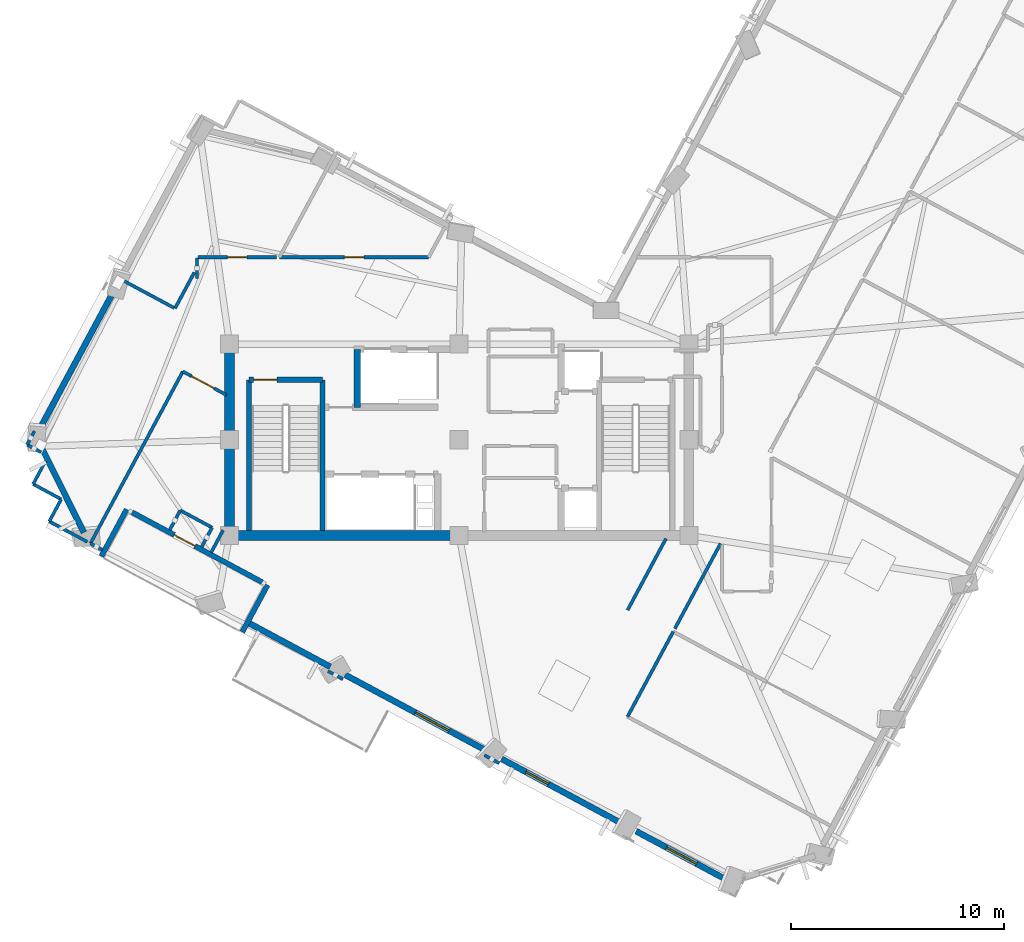
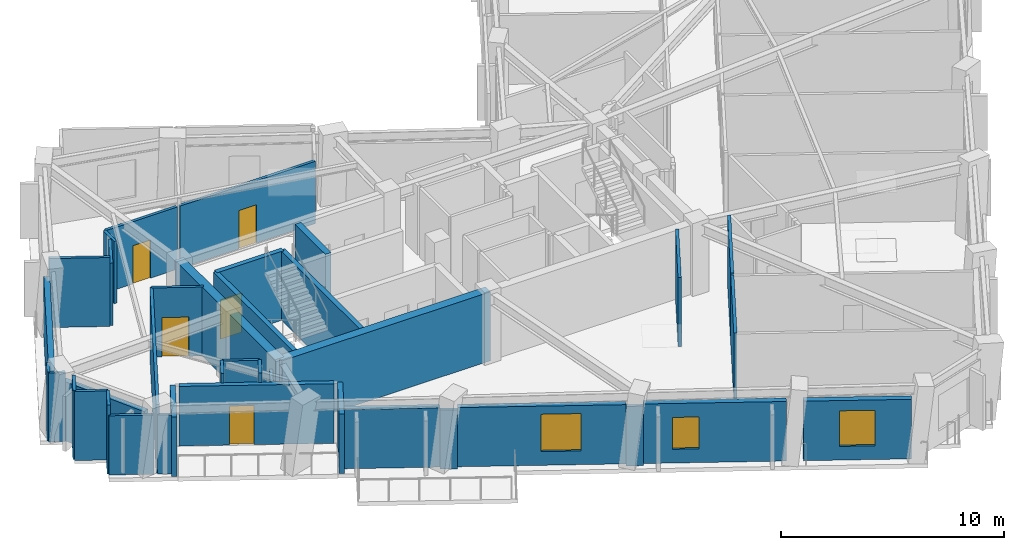
# One storey, part 6 of 14: 38 walls, 5 doors, 3 windows, 8 openings.
"""IFC4 building model written with IfcOpenShell, lengths in metres."""

from ifc_helpers import new_model, si_unit, direction, frame, frame_2d, origin, place, context, subcontext, project, spatial, rectangle, extrude, material, layer, layer_set, type_object, element, fill, save


model = new_model("IFC4")

# Units and contexts
model_context = context("Model", 3, precision=1e-05, world=origin(), true_north=direction((0.0, 1.0)))
body_context = subcontext(model_context, "Body", "Model", "MODEL_VIEW")
ifc_project = project(units=[si_unit("LENGTHUNIT", "METRE"), si_unit("AREAUNIT", "SQUARE_METRE"), si_unit("VOLUMEUNIT", "CUBIC_METRE"), si_unit("PLANEANGLEUNIT", "RADIAN"), si_unit("MASSUNIT", "GRAM", prefix="KILO")], contexts=[model_context])

# Site, building, storey
site_placement = place(None, origin())
site = spatial("IfcSite", under=ifc_project, at=site_placement, CompositionType="ELEMENT")
building_placement = place(site_placement, origin())
building = spatial("IfcBuilding", under=site, at=building_placement, Name="Gaonmaruhae Medical Tower", CompositionType="ELEMENT")
storey_placement = place(building_placement, frame((0.0, 0.0, 288.60009765625)))
storey = spatial("IfcBuildingStorey", under=building, at=storey_placement, Name="L69", CompositionType="ELEMENT", Elevation=288.60009765625)

# Walls
ifc_material_1 = material(Name="Concrete C50/60", Category="concrete")
ifc_layer_1 = layer(ifc_material_1, 0.449951171875)
ifc_layer_set_1 = layer_set([ifc_layer_1], Name="Concrete C50/60")
wall_type_1 = type_object("IfcWallType", Name="CW-450 Upper Core Shear Wall", PredefinedType="SHEAR", material=ifc_layer_set_1)
wall_1_placement = place(storey_placement, frame((14.0, 7.800048828125, 0.0), z_axis=(0.0, 0.0, 1.0), x_axis=(1.0, 0.0, 0.0)))
element("IfcWall", 1, at=wall_1_placement, inside=storey, type_object=wall_type_1, Name="L69 Core Shear Wall CSW-S1", PredefinedType="SHEAR", context=body_context, shape_type="SweptSolid", body=[
    extrude(rectangle(XDim=10.800048828125, YDim=0.449951171875, at=frame_2d((5.39990234375, 0.0))), origin(), (0.0, 0.0, 1.0), 3.77978515625),
])
wall_2_placement = place(storey_placement, frame((14.0, 16.800048828125, 0.0), z_axis=(0.0, 0.0, 1.0), x_axis=(0.0, -1.0, 0.0)))
element("IfcWall", 2, at=wall_2_placement, inside=storey, type_object=wall_type_1, Name="L69 Core Shear Wall CSW-W1", PredefinedType="SHEAR", context=body_context, shape_type="SweptSolid", body=[
    extrude(rectangle(XDim=9.0, YDim=0.449951171875, at=frame_2d((4.5, 0.0))), origin(), (0.0, 0.0, 1.0), 3.77978515625),
])

# Wall, opening, door
ifc_material_2 = material(Name="Precast concrete C45/55", Category="concrete")
ifc_layer_2 = layer(ifc_material_2, 0.239990234375)
ifc_layer_set_2 = layer_set([ifc_layer_2], Name="Precast concrete C45/55")
wall_type_2 = type_object("IfcWallType", Name="EW-240 Ribbon & Shelter Insulated Precast Wall", PredefinedType="SOLIDWALL", material=ifc_layer_set_2)
wall_3_placement = place(storey_placement, frame((15.54150390625, 5.6005859375, 0.0), z_axis=(0.0, 0.0, 1.0), x_axis=(-0.88087851572, 0.473342413632, 0.0)))
wall_3 = element("IfcWall", 3, at=wall_3_placement, inside=storey, type_object=wall_type_2, Name="L69 Recessed Terrace Enclosure Wall TERB", PredefinedType="SOLIDWALL", context=body_context, shape_type="SweptSolid", body=[
    extrude(rectangle(XDim=6.9599609375, YDim=0.239990234375, at=frame_2d((3.47998046875, 0.0))), origin(), (0.0, 0.0, 1.0), 3.264892578125),
])
opening_1_placement = place(wall_3_placement, frame((3.59716796875, 0.0, 0.0)))
opening_1 = element("IfcOpeningElement", 4, at=opening_1_placement, cuts=wall_3, Name="Opening TD-01", PredefinedType="OPENING", context=body_context, shape_type="SweptSolid", body=[
    extrude(rectangle(XDim=1.10009765625, YDim=2.14990234375, at=frame_2d((0.550048828125, 1.074951171875))), frame((0.0, 0.1298828125, 0.0), z_axis=(0.0, -1.0, 0.0), x_axis=(1.0, 0.0, 0.0)), (0.0, 0.0, 1.0), 0.260009765625),
])
ifc_material_3 = material(Name="Anodised aluminium and toughened safety glass", Category="aluminium")
door_type_1 = type_object("IfcDoorType", Name="TD-01 Terrace & Sky Garden Glazed Door 1100x2150", OperationType="NOTDEFINED", PredefinedType="DOOR", material=ifc_material_3)
door_1_placement = place(opening_1_placement, origin())
door_1 = element("IfcDoor", 5, at=door_1_placement, inside=storey, type_object=door_type_1, Name="L69 Outdoor Terrace Access Door SLB-L69-TER", OperationType="SINGLE_SWING_RIGHT", OverallHeight=2.14990234375, OverallWidth=1.10009765625, PredefinedType="DOOR", context=body_context, shape_type="SweptSolid", body=[
    extrude(rectangle(XDim=1.10009765625, YDim=2.14990234375, at=frame_2d((0.550048828125, 1.074951171875))), frame((0.0, 0.02490234375, 0.0), z_axis=(0.0, -1.0, 0.0), x_axis=(1.0, 0.0, 0.0)), (0.0, 0.0, 1.0), 0.050048828125),
])
fill(opening_1, door_1)

# Walls
for number, where, z_axis, x_axis, name in (
    (6, (14.60498046875, 3.265869140625, 0.0), (0.0, 0.0, 1.0), (0.473348400497, 0.880875298636, 0.0), "L69 Recessed Terrace Enclosure Wall TERL"),
    (7, (9.1640625, 9.02734375, 0.0), (0.0, 0.0, 1.0), (-0.473348400497, -0.880875298636, 0.0), "L69 Recessed Terrace Enclosure Wall TERR"),
):
    element("IfcWall", number, at=place(storey_placement, frame(where, z_axis=z_axis, x_axis=x_axis)), inside=storey, type_object=wall_type_2, Name=name, PredefinedType="SOLIDWALL", context=body_context, shape_type="SweptSolid", body=[
        extrude(rectangle(XDim=2.5, YDim=0.239990234375, at=frame_2d((1.25, 0.0))), origin(), (0.0, 0.0, 1.0), 3.264892578125),
    ])
ifc_layer_3 = layer(ifc_material_2, 0.280029296875)
ifc_layer_set_3 = layer_set([ifc_layer_3], Name="Precast concrete C45/55")
wall_type_3 = type_object("IfcWallType", Name="EW-280 Upper Precast Masonry-Frame Facade Wall", PredefinedType="SOLIDWALL", material=ifc_layer_set_3)
wall_4_placement = place(storey_placement, frame((4.97998046875, 12.62841796875, 0.0), z_axis=(0.0, 0.0, 1.0), x_axis=(0.473337134164, 0.880881352636, 0.0)))
element("IfcWall", 8, at=wall_4_placement, inside=storey, type_object=wall_type_3, Name="L69 Precast Masonry-Frame Wall N02-N03", PredefinedType="SOLIDWALL", context=body_context, shape_type="SweptSolid", body=[
    extrude(rectangle(XDim=7.484619140625, YDim=0.280029296875, at=frame_2d((3.7421875, 0.0))), origin(), (0.0, 0.0, 1.0), 3.264892578125),
])
wall_5_placement = place(storey_placement, frame((7.15625, 7.9375, 0.0), z_axis=(0.0, 0.0, 1.0), x_axis=(-0.446726151208, 0.894670747162, 0.0)))
element("IfcWall", 9, at=wall_5_placement, inside=storey, type_object=wall_type_3, Name="L69 Precast Masonry-Frame Wall N03-W01", PredefinedType="SOLIDWALL", context=body_context, shape_type="SweptSolid", body=[
    extrude(rectangle(XDim=4.408203125, YDim=0.280029296875, at=frame_2d((2.2041015625, 0.0))), origin(), (0.0, 0.0, 1.0), 3.244873046875),
])
wall_6_placement = place(storey_placement, frame((18.740234375, 1.622802734375, 0.0), z_axis=(0.0, 0.0, 1.0), x_axis=(-0.880891196936, 0.473318813445, 0.0)))
element("IfcWall", 10, at=wall_6_placement, inside=storey, type_object=wall_type_3, Name="L69 Precast Masonry-Frame Wall W02-W03", PredefinedType="SOLIDWALL", context=body_context, shape_type="SweptSolid", body=[
    extrude(rectangle(XDim=4.400390625, YDim=0.280029296875, at=frame_2d((2.2001953125, 0.0))), origin(), (0.0, 0.0, 1.0), 3.244873046875),
])

# Wall, opening, window
wall_7_placement = place(storey_placement, frame((26.098388671875, -2.330810546875, 0.0), z_axis=(0.0, 0.0, 1.0), x_axis=(-0.880901164387, 0.473300262605, 0.0)))
wall_7 = element("IfcWall", 11, at=wall_7_placement, inside=storey, type_object=wall_type_3, Name="L69 Precast Masonry-Frame Wall W03-W04", PredefinedType="SOLIDWALL", context=body_context, shape_type="SweptSolid", body=[
    extrude(rectangle(XDim=7.558349609375, YDim=0.280029296875, at=frame_2d((3.779296875, 0.0))), origin(), (0.0, 0.0, 1.0), 3.244873046875),
])
opening_2_placement = place(wall_7_placement, frame((2.013427734375, 0.0, 0.75)))
opening_2 = element("IfcOpeningElement", 12, at=opening_2_placement, cuts=wall_7, Name="Opening WN-04", PredefinedType="OPENING", context=body_context, shape_type="SweptSolid", body=[
    extrude(rectangle(XDim=1.800048828125, YDim=2.050048828125, at=frame_2d((0.89990234375, 1.02490234375))), frame((0.0, 0.14990234375, 0.0), z_axis=(0.0, -1.0, 0.0), x_axis=(1.0, 0.0, 0.0)), (0.0, 0.0, 1.0), 0.300048828125),
])
ifc_material_4 = material(Name="Anodised aluminium and Low-E double glazing", Category="aluminium")
window_type_1 = type_object("IfcWindowType", Name="WN-04 Clinic & Consult Punched Window 1800x2050", PartitioningType="SINGLE_PANEL", PredefinedType="WINDOW", material=ifc_material_4)
window_1_placement = place(opening_2_placement, origin())
window_1 = element("IfcWindow", 13, at=window_1_placement, inside=storey, type_object=window_type_1, Name="L69 Modular Facade Window W03", OverallHeight=2.050048828125, OverallWidth=1.800048828125, PartitioningType="SINGLE_PANEL", PredefinedType="WINDOW", context=body_context, shape_type="SweptSolid", body=[
    extrude(rectangle(XDim=1.800048828125, YDim=2.050048828125, at=frame_2d((0.89990234375, 1.02490234375))), frame((0.0, 0.030029296875, 0.0), z_axis=(0.0, -1.0, 0.0), x_axis=(1.0, 0.0, 0.0)), (0.0, 0.0, 1.0), 0.06005859375),
])
fill(opening_2, window_1)

wall_8_placement = place(storey_placement, frame((32.451904296875, -5.74462890625, 0.0), z_axis=(0.0, 0.0, 1.0), x_axis=(-0.880901435669, 0.473299757697, 0.0)))
wall_8 = element("IfcWall", 14, at=wall_8_placement, inside=storey, type_object=wall_type_3, Name="L69 Precast Masonry-Frame Wall W04-W05", PredefinedType="SOLIDWALL", context=body_context, shape_type="SweptSolid", body=[
    extrude(rectangle(XDim=6.425048828125, YDim=0.280029296875, at=frame_2d((3.21240234375, 0.0))), origin(), (0.0, 0.0, 1.0), 3.264892578125),
])
opening_3_placement = place(wall_8_placement, frame((3.91943359375, 0.0, 0.75)))
opening_3 = element("IfcOpeningElement", 15, at=opening_3_placement, cuts=wall_8, Name="Opening WN-05", PredefinedType="OPENING", context=body_context, shape_type="SweptSolid", body=[
    extrude(rectangle(XDim=1.199951171875, YDim=1.75, at=frame_2d((0.60009765625, 0.875))), frame((0.0, 0.14990234375, 0.0), z_axis=(0.0, -1.0, 0.0), x_axis=(1.0, 0.0, 0.0)), (0.0, 0.0, 1.0), 0.300048828125),
])
window_type_2 = type_object("IfcWindowType", Name="WN-05 Support & Staff Punched Window 1200x1750", PartitioningType="SINGLE_PANEL", PredefinedType="WINDOW", material=ifc_material_4)
window_2_placement = place(opening_3_placement, origin())
window_2 = element("IfcWindow", 16, at=window_2_placement, inside=storey, type_object=window_type_2, Name="L69 Modular Facade Window W04", OverallHeight=1.75, OverallWidth=1.199951171875, PartitioningType="SINGLE_PANEL", PredefinedType="WINDOW", context=body_context, shape_type="SweptSolid", body=[
    extrude(rectangle(XDim=1.199951171875, YDim=1.75, at=frame_2d((0.60009765625, 0.875))), frame((0.0, 0.030029296875, 0.0), z_axis=(0.0, -1.0, 0.0), x_axis=(1.0, 0.0, 0.0)), (0.0, 0.0, 1.0), 0.06005859375),
])
fill(opening_3, window_2)

wall_9_placement = place(storey_placement, frame((37.399658203125, -8.4033203125, 0.0), z_axis=(0.0, 0.0, 1.0), x_axis=(-0.880887291268, 0.473326082192, 0.0)))
wall_9 = element("IfcWall", 17, at=wall_9_placement, inside=storey, type_object=wall_type_3, Name="L69 Precast Masonry-Frame Wall W05-W06", PredefinedType="SOLIDWALL", context=body_context, shape_type="SweptSolid", body=[
    extrude(rectangle(XDim=4.855712890625, YDim=0.280029296875, at=frame_2d((2.427734375, 0.0))), origin(), (0.0, 0.0, 1.0), 3.264892578125),
])
opening_4_placement = place(wall_9_placement, frame((1.632568359375, 0.0, 0.75)))
opening_4 = element("IfcOpeningElement", 18, at=opening_4_placement, cuts=wall_9, Name="Opening WN-01", PredefinedType="OPENING", context=body_context, shape_type="SweptSolid", body=[
    extrude(rectangle(XDim=1.60009765625, YDim=1.949951171875, at=frame_2d((0.800048828125, 0.97509765625))), frame((0.0, 0.14990234375, 0.0), z_axis=(0.0, -1.0, 0.0), x_axis=(1.0, 0.0, 0.0)), (0.0, 0.0, 1.0), 0.300048828125),
])
window_type_3 = type_object("IfcWindowType", Name="WN-01 Ward Punched Acoustic Window 1600x1950", PartitioningType="SINGLE_PANEL", PredefinedType="WINDOW", material=ifc_material_4)
window_3_placement = place(opening_4_placement, origin())
window_3 = element("IfcWindow", 19, at=window_3_placement, inside=storey, type_object=window_type_3, Name="L69 Modular Facade Window W05", OverallHeight=1.949951171875, OverallWidth=1.60009765625, PartitioningType="SINGLE_PANEL", PredefinedType="WINDOW", context=body_context, shape_type="SweptSolid", body=[
    extrude(rectangle(XDim=1.60009765625, YDim=1.949951171875, at=frame_2d((0.800048828125, 0.97509765625))), frame((0.0, 0.030029296875, 0.0), z_axis=(0.0, -1.0, 0.0), x_axis=(1.0, 0.0, 0.0)), (0.0, 0.0, 1.0), 0.06005859375),
])
fill(opening_4, window_3)

# Walls
ifc_material_5 = material(Name="Gypsum board partition", Category="gypsum")
ifc_layer_4 = layer(ifc_material_5, 0.14990234375)
ifc_layer_set_4 = layer_set([ifc_layer_4], Name="Gypsum board partition")
wall_type_4 = type_object("IfcWallType", Name="PW-150 Rated Clinical Corridor Partition", PredefinedType="PARTITIONING", material=ifc_layer_set_4)
wall_10_placement = place(storey_placement, frame((32.715087890625, -0.720947265625, 0.0), z_axis=(0.0, 0.0, 1.0), x_axis=(0.47334923321, 0.880874851168, 0.0)))
element("IfcWall", 20, at=wall_10_placement, inside=storey, type_object=wall_type_4, Name="L69 Interior Partition L69-SUP02-14", PredefinedType="PARTITIONING", context=body_context, shape_type="SweptSolid", body=[
    extrude(rectangle(XDim=4.539794921875, YDim=0.14990234375, at=frame_2d((2.27001953125, 0.0))), origin(), (0.0, 0.0, 1.0), 3.77978515625),
])
wall_11_placement = place(storey_placement, frame((34.93994140625, 3.4189453125, 0.0), z_axis=(0.0, 0.0, 1.0), x_axis=(0.473301278414, 0.880900618601, 0.0)))
element("IfcWall", 21, at=wall_11_placement, inside=storey, type_object=wall_type_4, Name="L69 Interior Partition L69-SUP03-21", PredefinedType="PARTITIONING", context=body_context, shape_type="SweptSolid", body=[
    extrude(rectangle(XDim=4.540771484375, YDim=0.14990234375, at=frame_2d((2.2705078125, 0.0))), origin(), (0.0, 0.0, 1.0), 3.77978515625),
])
wall_12_placement = place(storey_placement, frame((26.68310546875, -2.906005859375, 0.0), z_axis=(0.0, 0.0, 1.0), x_axis=(-0.880838932078, 0.473416070424, 0.0)))
element("IfcWall", 22, at=wall_12_placement, inside=storey, type_object=wall_type_4, Name="L69 Interior Partition L69-WOF10-44", PredefinedType="PARTITIONING", context=body_context, shape_type="SweptSolid", body=[
    extrude(rectangle(XDim=0.7880859375, YDim=0.14990234375, at=frame_2d((0.39404296875, 0.0))), origin(), (0.0, 0.0, 1.0), 3.264892578125),
])
wall_13_placement = place(storey_placement, frame((19.3310546875, 1.0439453125, 0.0), z_axis=(0.0, 0.0, 1.0), x_axis=(-0.880954105098, 0.473201716725, 0.0)))
element("IfcWall", 23, at=wall_13_placement, inside=storey, type_object=wall_type_4, Name="L69 Interior Partition L69-WOF12-47", PredefinedType="PARTITIONING", context=body_context, shape_type="SweptSolid", body=[
    extrude(rectangle(XDim=0.79443359375, YDim=0.14990234375, at=frame_2d((0.397216796875, 0.0))), origin(), (0.0, 0.0, 1.0), 3.244873046875),
])
wall_14_placement = place(storey_placement, frame((13.136962890625, 7.0, 0.0), z_axis=(0.0, 0.0, 1.0), x_axis=(0.473548662822, 0.880767656047, 0.0)))
element("IfcWall", 24, at=wall_14_placement, inside=storey, type_object=wall_type_4, Name="L69 Interior Partition L69-WOF13-49", PredefinedType="PARTITIONING", context=body_context, shape_type="SweptSolid", body=[
    extrude(rectangle(XDim=1.18896484375, YDim=0.14990234375, at=frame_2d((0.594482421875, 0.0))), origin(), (0.0, 0.0, 1.0), 3.14501953125),
])
wall_15_placement = place(storey_placement, frame((12.681884765625, 7.2451171875, 0.0), z_axis=(0.0, 0.0, 1.0), x_axis=(0.473229793315, 0.88093902327, 0.0)))
element("IfcWall", 25, at=wall_15_placement, inside=storey, type_object=wall_type_4, Name="L69 Interior Partition L69-WCL14-50", PredefinedType="PARTITIONING", context=body_context, shape_type="SweptSolid", body=[
    extrude(rectangle(XDim=1.054443359375, YDim=0.14990234375, at=frame_2d((0.52734375, 0.0))), origin(), (0.0, 0.0, 1.0), 3.77978515625),
])
wall_16_placement = place(storey_placement, frame((13.180908203125, 8.174072265625, 0.0), z_axis=(0.0, 0.0, 1.0), x_axis=(-0.880729278923, 0.473620034678, 0.0)))
element("IfcWall", 26, at=wall_16_placement, inside=storey, type_object=wall_type_4, Name="L69 Interior Partition L69-WCL14-51", PredefinedType="PARTITIONING", context=body_context, shape_type="SweptSolid", body=[
    extrude(rectangle(XDim=1.699462890625, YDim=0.14990234375, at=frame_2d((0.849609375, 0.0))), origin(), (0.0, 0.0, 1.0), 3.77978515625),
])
wall_17_placement = place(storey_placement, frame((11.68408203125, 8.97900390625, 0.0), z_axis=(0.0, 0.0, 1.0), x_axis=(-0.473948013008, -0.880552826902, 0.0)))
element("IfcWall", 27, at=wall_17_placement, inside=storey, type_object=wall_type_4, Name="L69 Interior Partition L69-WCL14-52", PredefinedType="PARTITIONING", context=body_context, shape_type="SweptSolid", body=[
    extrude(rectangle(XDim=1.054931640625, YDim=0.14990234375, at=frame_2d((0.52734375, 0.0))), origin(), (0.0, 0.0, 1.0), 3.77978515625),
])
wall_18_placement = place(storey_placement, frame((8.029052734375, 7.116943359375, 0.0), z_axis=(0.0, 0.0, 1.0), x_axis=(-0.880944747139, 0.473219137913, 0.0)))
element("IfcWall", 28, at=wall_18_placement, inside=storey, type_object=wall_type_4, Name="L69 Interior Partition L69-WCL14-53", PredefinedType="PARTITIONING", context=body_context, shape_type="SweptSolid", body=[
    extrude(rectangle(XDim=0.644775390625, YDim=0.14990234375, at=frame_2d((0.322265625, 0.0))), origin(), (0.0, 0.0, 1.0), 3.244873046875),
])
wall_19_placement = place(storey_placement, frame((7.4609375, 7.422119140625, 0.0), z_axis=(0.0, 0.0, 1.0), x_axis=(0.473295580146, 0.880903680214, 0.0)))
element("IfcWall", 29, at=wall_19_placement, inside=storey, type_object=wall_type_4, Name="L69 Interior Partition L69-WCL14-54", PredefinedType="PARTITIONING", context=body_context, shape_type="SweptSolid", body=[
    extrude(rectangle(XDim=9.18017578125, YDim=0.14990234375, at=frame_2d((4.590087890625, 0.0))), origin(), (0.0, 0.0, 1.0), 3.77978515625),
])

# Wall, opening, door
wall_20_placement = place(storey_placement, frame((11.805908203125, 15.509033203125, 0.0), z_axis=(0.0, 0.0, 1.0), x_axis=(0.880904657271, -0.47329376163, 0.0)))
wall_20 = element("IfcWall", 30, at=wall_20_placement, inside=storey, type_object=wall_type_4, Name="L69 Interior Partition L69-WCL14-55", PredefinedType="PARTITIONING", context=body_context, shape_type="SweptSolid", body=[
    extrude(rectangle(XDim=2.33056640625, YDim=0.14990234375, at=frame_2d((1.165283203125, 0.0))), origin(), (0.0, 0.0, 1.0), 3.77978515625),
])
opening_5_placement = place(wall_20_placement, frame((0.47509765625, 0.0, 0.0)))
opening_5 = element("IfcOpeningElement", 31, at=opening_5_placement, cuts=wall_20, Name="Opening CD-02", PredefinedType="OPENING", context=body_context, shape_type="SweptSolid", body=[
    extrude(rectangle(XDim=1.199951171875, YDim=2.14990234375, at=frame_2d((0.60009765625, 1.074951171875))), frame((0.0, 0.0849609375, 0.0), z_axis=(0.0, -1.0, 0.0), x_axis=(1.0, 0.0, 0.0)), (0.0, 0.0, 1.0), 0.169921875),
])
ifc_material_6 = material(Name="Antimicrobial laminate timber fire door", Category="wood")
door_type_2 = type_object("IfcDoorType", Name="CD-02 Clinical Treatment & Procedure Door 1200x2150", OperationType="NOTDEFINED", PredefinedType="DOOR", material=ifc_material_6)
door_2_placement = place(opening_5_placement, origin())
door_2 = element("IfcDoor", 32, at=door_2_placement, inside=storey, type_object=door_type_2, Name="L69 Specialist Consultation Office Door", OperationType="SINGLE_SWING_LEFT", OverallHeight=2.14990234375, OverallWidth=1.199951171875, PredefinedType="DOOR", context=body_context, shape_type="SweptSolid", body=[
    extrude(rectangle(XDim=1.199951171875, YDim=2.14990234375, at=frame_2d((0.60009765625, 1.074951171875))), frame((0.0, 0.02490234375, 0.0), z_axis=(0.0, -1.0, 0.0), x_axis=(1.0, 0.0, 0.0)), (0.0, 0.0, 1.0), 0.050048828125),
])
fill(opening_5, door_2)

# Walls
wall_21_placement = place(storey_placement, frame((5.14404296875, 11.708984375, 0.0), z_axis=(0.0, 0.0, 1.0), x_axis=(-0.880742885234, 0.473594731927, 0.0)))
element("IfcWall", 33, at=wall_21_placement, inside=storey, type_object=wall_type_4, Name="L69 Interior Partition L69-BR01-56", PredefinedType="PARTITIONING", context=body_context, shape_type="SweptSolid", body=[
    extrude(rectangle(XDim=0.74951171875, YDim=0.14990234375, at=frame_2d((0.374755859375, 0.0))), origin(), (0.0, 0.0, 1.0), 3.77978515625),
])
wall_22_placement = place(storey_placement, frame((4.48388671875, 12.06396484375, 0.0), z_axis=(0.0, 0.0, 1.0), x_axis=(0.472906122879, 0.88111281851, 0.0)))
element("IfcWall", 34, at=wall_22_placement, inside=storey, type_object=wall_type_4, Name="L69 Interior Partition L69-BR01-57", PredefinedType="PARTITIONING", context=body_context, shape_type="SweptSolid", body=[
    extrude(rectangle(XDim=0.73193359375, YDim=0.14990234375, at=frame_2d((0.365966796875, 0.0))), origin(), (0.0, 0.0, 1.0), 3.77978515625),
])
wall_23_placement = place(storey_placement, frame((7.320068359375, 7.498046875, 0.0), z_axis=(0.0, 0.0, 1.0), x_axis=(-0.881050780424, 0.47302169328, 0.0)))
element("IfcWall", 35, at=wall_23_placement, inside=storey, type_object=wall_type_4, Name="L69 Interior Partition L69-BR01-61", PredefinedType="PARTITIONING", context=body_context, shape_type="SweptSolid", body=[
    extrude(rectangle(XDim=2.039794921875, YDim=0.14990234375, at=frame_2d((1.02001953125, 0.0))), origin(), (0.0, 0.0, 1.0), 3.244873046875),
])
wall_24_placement = place(storey_placement, frame((5.52294921875, 8.462890625, 0.0), z_axis=(0.0, 0.0, 1.0), x_axis=(0.473483216914, 0.880802840198, 0.0)))
element("IfcWall", 36, at=wall_24_placement, inside=storey, type_object=wall_type_4, Name="L69 Interior Partition L69-BR01-62", PredefinedType="PARTITIONING", context=body_context, shape_type="SweptSolid", body=[
    extrude(rectangle(XDim=1.1806640625, YDim=0.14990234375, at=frame_2d((0.59033203125, 0.0))), origin(), (0.0, 0.0, 1.0), 3.77978515625),
])
wall_25_placement = place(storey_placement, frame((6.08203125, 9.5029296875, 0.0), z_axis=(0.0, 0.0, 1.0), x_axis=(-0.880852398613, 0.473391013707, 0.0)))
element("IfcWall", 37, at=wall_25_placement, inside=storey, type_object=wall_type_4, Name="L69 Interior Partition L69-BR01-63", PredefinedType="PARTITIONING", context=body_context, shape_type="SweptSolid", body=[
    extrude(rectangle(XDim=1.499755859375, YDim=0.14990234375, at=frame_2d((0.75, 0.0))), origin(), (0.0, 0.0, 1.0), 3.77978515625),
])
wall_26_placement = place(storey_placement, frame((4.760986328125, 10.212890625, 0.0), z_axis=(0.0, 0.0, 1.0), x_axis=(0.473452679228, 0.880819255314, 0.0)))
element("IfcWall", 38, at=wall_26_placement, inside=storey, type_object=wall_type_4, Name="L69 Interior Partition L69-BR01-64", PredefinedType="PARTITIONING", context=body_context, shape_type="SweptSolid", body=[
    extrude(rectangle(XDim=1.237548828125, YDim=0.14990234375, at=frame_2d((0.61865234375, 0.0))), origin(), (0.0, 0.0, 1.0), 3.77978515625),
])

# Wall, opening, door
wall_27_placement = place(storey_placement, frame((23.365966796875, 20.8798828125, 0.0), z_axis=(0.0, 0.0, 1.0), x_axis=(-1.0, 0.0, 0.0)))
wall_27 = element("IfcWall", 39, at=wall_27_placement, inside=storey, type_object=wall_type_4, Name="L69 Interior Partition L69-IN02-89", PredefinedType="PARTITIONING", context=body_context, shape_type="SweptSolid", body=[
    extrude(rectangle(XDim=7.015869140625, YDim=0.14990234375, at=frame_2d((3.5078125, 0.0))), origin(), (0.0, 0.0, 1.0), 3.414794921875),
])
opening_6_placement = place(wall_27_placement, frame((3.048095703125, 0.0, 0.0)))
opening_6 = element("IfcOpeningElement", 40, at=opening_6_placement, cuts=wall_27, Name="Opening UD-01", PredefinedType="OPENING", context=body_context, shape_type="SweptSolid", body=[
    extrude(rectangle(XDim=0.919921875, YDim=2.10009765625, at=frame_2d((0.4599609375, 1.050048828125))), frame((0.0, 0.0849609375, 0.0), z_axis=(0.0, -1.0, 0.0), x_axis=(1.0, 0.0, 0.0)), (0.0, 0.0, 1.0), 0.169921875),
])
ifc_material_7 = material(Name="Powder-coated steel utility door", Category="steel")
door_type_3 = type_object("IfcDoorType", Name="UD-01 Toilet, Utility & Housekeeping Door 920x2100", OperationType="NOTDEFINED", PredefinedType="DOOR", material=ifc_material_7)
door_3_placement = place(opening_6_placement, origin())
door_3 = element("IfcDoor", 41, at=door_3_placement, inside=storey, type_object=door_type_3, Name="L69 Ward Nutrition Pantry Door", OperationType="SINGLE_SWING_RIGHT", OverallHeight=2.10009765625, OverallWidth=0.919921875, PredefinedType="DOOR", context=body_context, shape_type="SweptSolid", body=[
    extrude(rectangle(XDim=0.919921875, YDim=2.10009765625, at=frame_2d((0.4599609375, 1.050048828125))), frame((0.0, 0.02490234375, 0.0), z_axis=(0.0, -1.0, 0.0), x_axis=(1.0, 0.0, 0.0)), (0.0, 0.0, 1.0), 0.050048828125),
])
fill(opening_6, door_3)

# Walls
wall_28_placement = place(storey_placement, frame((12.469970703125, 20.85009765625, 0.0), z_axis=(0.0, 0.0, 1.0), x_axis=(0.0, -1.0, 0.0)))
element("IfcWall", 42, at=wall_28_placement, inside=storey, type_object=wall_type_4, Name="L69 Interior Partition L69-IN03-94", PredefinedType="PARTITIONING", context=body_context, shape_type="SweptSolid", body=[
    extrude(rectangle(XDim=0.964111328125, YDim=0.14990234375, at=frame_2d((0.48193359375, 0.0))), origin(), (0.0, 0.0, 1.0), 3.414794921875),
])
wall_29_placement = place(storey_placement, frame((12.344970703125, 20.1650390625, 0.0), z_axis=(0.0, 0.0, 1.0), x_axis=(-0.47371238965, -0.880679607969, 0.0)))
element("IfcWall", 43, at=wall_29_placement, inside=storey, type_object=wall_type_4, Name="L69 Interior Partition L69-IN03-95", PredefinedType="PARTITIONING", context=body_context, shape_type="SweptSolid", body=[
    extrude(rectangle(XDim=1.916748046875, YDim=0.14990234375, at=frame_2d((0.95849609375, 0.0))), origin(), (0.0, 0.0, 1.0), 3.414794921875),
])
wall_30_placement = place(storey_placement, frame((11.39306640625, 18.5009765625, 0.0), z_axis=(0.0, 0.0, 1.0), x_axis=(-0.880919921117, 0.473265351128, 0.0)))
element("IfcWall", 44, at=wall_30_placement, inside=storey, type_object=wall_type_4, Name="L69 Interior Partition L69-IN03-96", PredefinedType="PARTITIONING", context=body_context, shape_type="SweptSolid", body=[
    extrude(rectangle(XDim=2.75732421875, YDim=0.14990234375, at=frame_2d((1.378662109375, 0.0))), origin(), (0.0, 0.0, 1.0), 3.77978515625),
])

# Wall, opening, door
wall_31_placement = place(storey_placement, frame((16.214111328125, 20.8798828125, 0.0), z_axis=(0.0, 0.0, 1.0), x_axis=(-1.0, 0.0, 0.0)))
wall_31 = element("IfcWall", 45, at=wall_31_placement, inside=storey, type_object=wall_type_4, Name="L69 Interior Partition L69-IN03-101", PredefinedType="PARTITIONING", context=body_context, shape_type="SweptSolid", body=[
    extrude(rectangle(XDim=3.7041015625, YDim=0.14990234375, at=frame_2d((1.85205078125, 0.0))), origin(), (0.0, 0.0, 1.0), 3.414794921875),
])
opening_7_placement = place(wall_31_placement, frame((1.39208984375, 0.0, 0.0)))
opening_7 = element("IfcOpeningElement", 46, at=opening_7_placement, cuts=wall_31, Name="Opening UD-01", PredefinedType="OPENING", context=body_context, shape_type="SweptSolid", body=[
    extrude(rectangle(XDim=0.919921875, YDim=2.10009765625, at=frame_2d((0.4599609375, 1.050048828125))), frame((0.0, 0.0849609375, 0.0), z_axis=(0.0, -1.0, 0.0), x_axis=(1.0, 0.0, 0.0)), (0.0, 0.0, 1.0), 0.169921875),
])
door_4_placement = place(opening_7_placement, origin())
door_4 = element("IfcDoor", 47, at=door_4_placement, inside=storey, type_object=door_type_3, Name="L69 Public Visitor Toilet Door", OperationType="SINGLE_SWING_RIGHT", OverallHeight=2.10009765625, OverallWidth=0.919921875, PredefinedType="DOOR", context=body_context, shape_type="SweptSolid", body=[
    extrude(rectangle(XDim=0.919921875, YDim=2.10009765625, at=frame_2d((0.4599609375, 1.050048828125))), frame((0.0, 0.02490234375, 0.0), z_axis=(0.0, -1.0, 0.0), x_axis=(1.0, 0.0, 0.0)), (0.0, 0.0, 1.0), 0.050048828125),
])
fill(opening_7, door_4)

# Wall
wall_32_placement = place(storey_placement, frame((34.527099609375, 7.658935546875, 0.0), z_axis=(0.0, 0.0, 1.0), x_axis=(-0.473325963305, -0.880887355149, 0.0)))
element("IfcWall", 48, at=wall_32_placement, inside=storey, type_object=wall_type_4, Name="L69 Interior Partition L69-RM02-103", PredefinedType="PARTITIONING", context=body_context, shape_type="SweptSolid", body=[
    extrude(rectangle(XDim=3.820068359375, YDim=0.14990234375, at=frame_2d((1.91015625, 0.0))), origin(), (0.0, 0.0, 1.0), 3.77978515625),
])

# Wall, opening, door
ifc_layer_5 = layer(ifc_material_1, 0.239990234375)
ifc_layer_set_5 = layer_set([ifc_layer_5], Name="Concrete C50/60")
wall_type_5 = type_object("IfcWallType", Name="SW-240 Dogleg Stair Tight Shaft Wall", PredefinedType="SOLIDWALL", material=ifc_layer_set_5)
wall_33_placement = place(storey_placement, frame((14.919921875, 15.1201171875, 0.0), z_axis=(0.0, 0.0, 1.0), x_axis=(1.0, 0.0, 0.0)))
wall_33 = element("IfcWall", 49, at=wall_33_placement, inside=storey, type_object=wall_type_5, Name="L69 ST-01 Stair Shaft Wall SHW-ST-01-N", PredefinedType="SOLIDWALL", context=body_context, shape_type="SweptSolid", body=[
    extrude(rectangle(XDim=3.4599609375, YDim=0.239990234375, at=frame_2d((1.72998046875, 0.0))), origin(), (0.0, 0.0, 1.0), 3.77978515625),
])
opening_8_placement = place(wall_33_placement, frame((0.219970703125, 0.0, 0.0)))
opening_8 = element("IfcOpeningElement", 50, at=opening_8_placement, cuts=wall_33, Name="Opening FD-01", PredefinedType="OPENING", context=body_context, shape_type="SweptSolid", body=[
    extrude(rectangle(XDim=1.10009765625, YDim=2.14990234375, at=frame_2d((0.550048828125, 1.074951171875))), frame((0.0, 0.1298828125, 0.0), z_axis=(0.0, -1.0, 0.0), x_axis=(1.0, 0.0, 0.0)), (0.0, 0.0, 1.0), 0.260009765625),
])
ifc_material_8 = material(Name="Powder-coated steel fire door", Category="steel")
door_type_4 = type_object("IfcDoorType", Name="FD-01 Escape Stair Protected Fire Door 1100x2150", OperationType="NOTDEFINED", PredefinedType="DOOR", material=ifc_material_8)
door_5_placement = place(opening_8_placement, origin())
door_5 = element("IfcDoor", 51, at=door_5_placement, inside=storey, type_object=door_type_4, Name="L69 ST-01 Protected Escape Stair Door", OperationType="SINGLE_SWING_RIGHT", OverallHeight=2.14990234375, OverallWidth=1.10009765625, PredefinedType="DOOR", context=body_context, shape_type="SweptSolid", body=[
    extrude(rectangle(XDim=1.10009765625, YDim=2.14990234375, at=frame_2d((0.550048828125, 1.074951171875))), frame((0.0, 0.02490234375, 0.0), z_axis=(0.0, -1.0, 0.0), x_axis=(1.0, 0.0, 0.0)), (0.0, 0.0, 1.0), 0.050048828125),
])
fill(opening_8, door_5)

# Walls
for number, where, z_axis, x_axis, name in (
    (52, (18.3798828125, 15.1201171875, 0.0), (0.0, 0.0, 1.0), (0.0, -1.0, 0.0), "L69 ST-01 Stair Shaft Wall SHW-ST-01-E"),
    (53, (14.919921875, 8.02490234375, 0.0), (0.0, 0.0, 1.0), (0.0, 1.0, 0.0), "L69 ST-01 Stair Shaft Wall SHW-ST-01-W"),
):
    element("IfcWall", number, at=place(storey_placement, frame(where, z_axis=z_axis, x_axis=x_axis)), inside=storey, type_object=wall_type_5, Name=name, PredefinedType="SOLIDWALL", context=body_context, shape_type="SweptSolid", body=[
        extrude(rectangle(XDim=7.09521484375, YDim=0.239990234375, at=frame_2d((3.547607421875, 0.0))), origin(), (0.0, 0.0, 1.0), 3.77978515625),
    ])
ifc_layer_6 = layer(ifc_material_1, 0.300048828125)
ifc_layer_set_6 = layer_set([ifc_layer_6], Name="Concrete C50/60")
wall_type_6 = type_object("IfcWallType", Name="SW-300 Stair & Lift Hoistway Shaft Wall", PredefinedType="SOLIDWALL", material=ifc_layer_set_6)
wall_34_placement = place(storey_placement, frame((20.0, 13.820068359375, 0.0), z_axis=(0.0, 0.0, 1.0), x_axis=(0.0, 1.0, 0.0)))
element("IfcWall", 54, at=wall_34_placement, inside=storey, type_object=wall_type_6, Name="L69 Shaft Enclosure Wall SHW-BDW", PredefinedType="SOLIDWALL", context=body_context, shape_type="SweptSolid", body=[
    extrude(rectangle(XDim=2.72998046875, YDim=0.300048828125, at=frame_2d((1.364990234375, 0.0))), origin(), (0.0, 0.0, 1.0), 3.77978515625),
])

save(model, "model.ifc")
